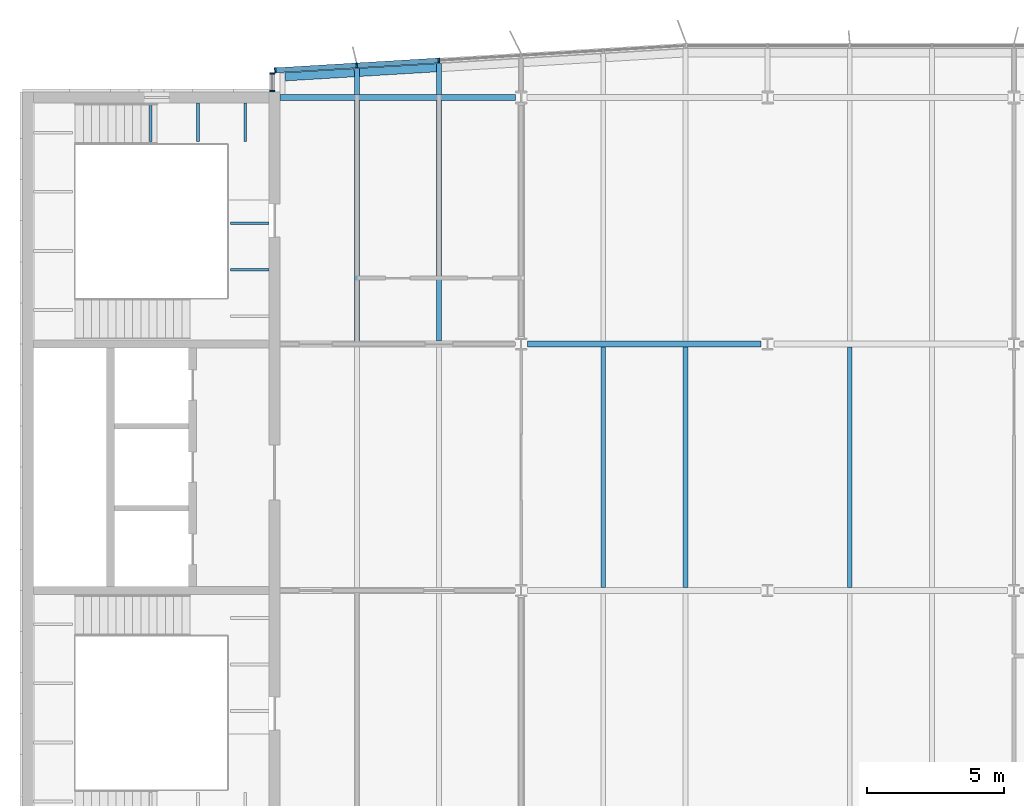
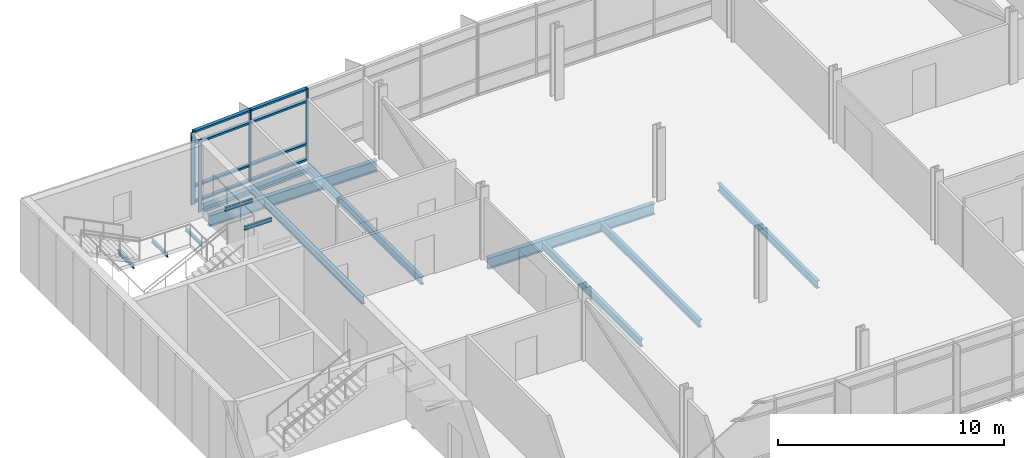
# One storey, part 4 of 21: 16 beams, 13 members, 2 elements without a shape of their own.
"""IFC4 building model written with IfcOpenShell, lengths in metres."""

from ifc_helpers import new_model, si_unit, direction, frame, origin, origin_2d, place, context, subcontext, project, spatial, rectangle, i_section, extrude, material, material_profile, profile_set, type_object, element, aggregate, save


model = new_model("IFC4")

# Units and contexts
model_context = context("Model", 3, precision=1e-05, world=origin(), true_north=direction((0.0, 1.0)))
body_context = subcontext(model_context, "Body", "Model", "MODEL_VIEW")
ifc_project = project(units=[si_unit("LENGTHUNIT", "METRE"), si_unit("AREAUNIT", "SQUARE_METRE"), si_unit("VOLUMEUNIT", "CUBIC_METRE"), si_unit("PLANEANGLEUNIT", "RADIAN"), si_unit("MASSUNIT", "GRAM", prefix="KILO")], contexts=[model_context])

# Site, building, storey
site_placement = place(None, origin())
site = spatial("IfcSite", under=ifc_project, at=site_placement, CompositionType="ELEMENT")
building_placement = place(site_placement, origin())
building = spatial("IfcBuilding", under=site, at=building_placement, Name="Azimuth Sports and Learning Centre", CompositionType="ELEMENT")
storey_placement = place(building_placement, frame((0.0, 0.0, 32.39990234375)))
storey = spatial("IfcBuildingStorey", under=building, at=storey_placement, Name="L06", CompositionType="ELEMENT", Elevation=32.39990234375)

# Beams
ifc_material_1 = material(Name="Steel S355", Category="steel")
ifc_material_profile_1 = material_profile(ifc_material_1, i_section(OverallWidth=0.10009765625, OverallDepth=0.199951171875, WebThickness=0.005615234375, FlangeThickness=0.008544921875, FilletRadius=0.011962890625, at=origin_2d()), Name="IPE 200")
ifc_profile_set_1 = profile_set([ifc_material_profile_1], Name="Steel S355")
beam_type_1 = type_object("IfcBeamType", Name="Beam IPE 200", PredefinedType="BEAM", material=ifc_profile_set_1)
for number, where, z_axis, x_axis, name in (
    (1, (58.473388671875, 116.800048828125, -0.2998046875), (0.0, -1.0, 0.0), (1.0, 0.0, 0.0), "Landing bracket W2 L06 237"),
    (2, (60.199951171875, 116.800048828125, -0.2998046875), (0.0, -1.0, 0.0), (1.0, 0.0, 0.0), "Landing bracket W2 L06 238"),
    (3, (61.9267578125, 116.800048828125, -0.2998046875), (0.0, -1.0, 0.0), (1.0, 0.0, 0.0), "Landing bracket W2 L06 239"),
    (4, (62.800048828125, 110.705078125, 3.60009765625), (-1.0, 0.0, 0.0), (0.0, -1.0, 0.0), "Landing bracket W2 L06 245"),
    (5, (62.800048828125, 112.401611328125, 3.60009765625), (-1.0, 0.0, 0.0), (0.0, -1.0, 0.0), "Landing bracket W2 L06 246"),
):
    element("IfcBeam", number, at=place(storey_placement, frame(where, z_axis=z_axis, x_axis=x_axis)), inside=storey, type_object=beam_type_1, Name=name, PredefinedType="BEAM", context=body_context, shape_type="SweptSolid", body=[
        extrude(i_section(OverallWidth=0.10009765625, OverallDepth=0.199951171875, WebThickness=0.005615234375, FlangeThickness=0.008544921875, FilletRadius=0.011962890625, at=origin_2d()), origin(), (0.0, 0.0, 1.0), 1.41015625),
    ])
ifc_material_2 = material(Name="Steel S355", Category="steel")
ifc_material_profile_2 = material_profile(ifc_material_2, i_section(OverallWidth=0.219970703125, OverallDepth=0.60009765625, WebThickness=0.011962890625, FlangeThickness=0.01904296875, FilletRadius=0.02392578125, at=origin_2d()), Name="IPE 600")
ifc_profile_set_2 = profile_set([ifc_material_profile_2], Name="Steel S355")
beam_type_2 = type_object("IfcBeamType", Name="Beam IPE 600", PredefinedType="BEAM", material=ifc_profile_set_2)
beam_1_placement = place(storey_placement, frame((72.238037109375, 108.0, -0.429931640625), z_axis=(1.0, 0.0, 0.0), x_axis=(0.0, 1.0, 0.0)))
element("IfcBeam", 6, at=beam_1_placement, inside=storey, type_object=beam_type_2, Name="Tower girder L06", PredefinedType="BEAM", context=body_context, shape_type="SweptSolid", body=[
    extrude(i_section(OverallWidth=0.219970703125, OverallDepth=0.60009765625, WebThickness=0.011962890625, FlangeThickness=0.01904296875, FilletRadius=0.02392578125, at=origin_2d()), origin(), (0.0, 0.0, 1.0), 8.52392578125),
])
beam_2_placement = place(storey_placement, frame((63.199951171875, 117.0, -0.429931640625), z_axis=(1.0, 0.0, 0.0), x_axis=(0.0, 1.0, 0.0)))
element("IfcBeam", 7, at=beam_2_placement, inside=storey, type_object=beam_type_2, Name="Tower girder L06", PredefinedType="BEAM", context=body_context, shape_type="SweptSolid", body=[
    extrude(i_section(OverallWidth=0.219970703125, OverallDepth=0.60009765625, WebThickness=0.011962890625, FlangeThickness=0.01904296875, FilletRadius=0.02392578125, at=origin_2d()), origin(), (0.0, 0.0, 1.0), 8.588134765625),
])
ifc_material_3 = material(Name="Steel S355", Category="steel")
ifc_material_profile_3 = material_profile(ifc_material_3, i_section(OverallWidth=0.179931640625, OverallDepth=0.39990234375, WebThickness=0.008544921875, FlangeThickness=0.013427734375, FilletRadius=0.02099609375, at=origin_2d()), Name="IPE 400")
ifc_profile_set_3 = profile_set([ifc_material_profile_3], Name="Steel S355")
beam_type_3 = type_object("IfcBeamType", Name="Cantilever stub IPE 400", PredefinedType="JOIST", material=ifc_profile_set_3)
beam_3_placement = place(storey_placement, frame((66.0, 117.110107421875, -0.329833984375), z_axis=(0.0, 1.0, 0.0), x_axis=(-1.0, 0.0, 0.0)))
element("IfcBeam", 8, at=beam_3_placement, inside=storey, type_object=beam_type_3, Name="Tower cantilever stub", PredefinedType="JOIST", context=body_context, shape_type="SweptSolid", body=[
    extrude(i_section(OverallWidth=0.179931640625, OverallDepth=0.39990234375, WebThickness=0.008544921875, FlangeThickness=0.013427734375, FilletRadius=0.02099609375, at=origin_2d()), origin(), (0.0, 0.0, 1.0), 0.949951171875),
])
beam_4_placement = place(storey_placement, frame((69.0, 117.110107421875, -0.329833984375), z_axis=(0.0, 1.0, 0.0), x_axis=(-1.0, 0.0, 0.0)))
element("IfcBeam", 9, at=beam_4_placement, inside=storey, type_object=beam_type_3, Name="Tower cantilever stub", PredefinedType="JOIST", context=body_context, shape_type="SweptSolid", body=[
    extrude(i_section(OverallWidth=0.179931640625, OverallDepth=0.39990234375, WebThickness=0.008544921875, FlangeThickness=0.013427734375, FilletRadius=0.02099609375, at=origin_2d()), origin(), (0.0, 0.0, 1.0), 1.1298828125),
])
ifc_material_4 = material(Name="Steel S355", Category="steel")
ifc_material_profile_4 = material_profile(ifc_material_4, i_section(OverallWidth=0.300048828125, OverallDepth=0.2900390625, WebThickness=0.008544921875, FlangeThickness=0.013916015625, FilletRadius=0.027099609375, at=origin_2d()), Name="HEA 300")
ifc_profile_set_4 = profile_set([ifc_material_profile_4], Name="Steel S355")
beam_type_4 = type_object("IfcBeamType", Name="Edge beam HEA 300", PredefinedType="SPANDREL", material=ifc_profile_set_4)
beam_5_placement = place(storey_placement, frame((63.3798828125, 117.752685546875, -0.27490234375), z_axis=(0.998203578329, 0.059913405937, 0.0), x_axis=(-0.059913405937, 0.998203578329, 0.0)))
element("IfcBeam", 10, at=beam_5_placement, inside=storey, type_object=beam_type_4, Name="Tower edge beam", PredefinedType="SPANDREL", context=body_context, shape_type="SweptSolid", body=[
    extrude(i_section(OverallWidth=0.300048828125, OverallDepth=0.2900390625, WebThickness=0.008544921875, FlangeThickness=0.013916015625, FilletRadius=0.027099609375, at=origin_2d()), origin(), (0.0, 0.0, 1.0), 2.53466796875),
])
beam_6_placement = place(storey_placement, frame((66.090087890625, 117.915283203125, -0.27490234375), z_axis=(0.998199674899, 0.059978404708, 0.0), x_axis=(-0.059978404708, 0.998199674899, 0.0)))
element("IfcBeam", 11, at=beam_6_placement, inside=storey, type_object=beam_type_4, Name="Tower edge beam", PredefinedType="SPANDREL", context=body_context, shape_type="SweptSolid", body=[
    extrude(i_section(OverallWidth=0.300048828125, OverallDepth=0.2900390625, WebThickness=0.008544921875, FlangeThickness=0.013916015625, FilletRadius=0.027099609375, at=origin_2d()), origin(), (0.0, 0.0, 1.0), 2.824951171875),
])
ifc_material_5 = material(Name="Steel S355", Category="steel")
ifc_material_profile_5 = material_profile(ifc_material_5, i_section(OverallWidth=0.179931640625, OverallDepth=0.39990234375, WebThickness=0.008544921875, FlangeThickness=0.013427734375, FilletRadius=0.02099609375, at=origin_2d()), Name="IPE 400")
ifc_profile_set_5 = profile_set([ifc_material_profile_5], Name="Steel S355")
beam_type_5 = type_object("IfcBeamType", Name="Joist IPE 400", PredefinedType="JOIST", material=ifc_profile_set_5)
for number, where, z_axis, x_axis, name in (
    (12, (66.0, 108.110107421875, -0.329833984375), (0.0, 1.0, 0.0), (-1.0, 0.0, 0.0), "Tower joist"),
    (13, (69.0, 108.110107421875, -0.329833984375), (0.0, 1.0, 0.0), (-1.0, 0.0, 0.0), "Tower joist"),
    (14, (75.0, 99.110107421875, -0.329833984375), (0.0, 1.0, 0.0), (-1.0, 0.0, 0.0), "Tower joist"),
    (15, (78.0, 99.110107421875, -0.329833984375), (0.0, 1.0, 0.0), (-1.0, 0.0, 0.0), "Tower joist"),
    (16, (84.0, 99.110107421875, -0.329833984375), (0.0, 1.0, 0.0), (-1.0, 0.0, 0.0), "Tower joist"),
):
    element("IfcBeam", number, at=place(storey_placement, frame(where, z_axis=z_axis, x_axis=x_axis)), inside=storey, type_object=beam_type_5, Name=name, PredefinedType="JOIST", context=body_context, shape_type="SweptSolid", body=[
        extrude(i_section(OverallWidth=0.179931640625, OverallDepth=0.39990234375, WebThickness=0.008544921875, FlangeThickness=0.013427734375, FilletRadius=0.02099609375, at=origin_2d()), origin(), (0.0, 0.0, 1.0), 8.77978515625),
    ])

# Curtain wall, members
ifc_material_6 = material(Name="Aluminium and glass", Category="aluminium")
curtain_wall_type_1 = type_object("IfcCurtainWallType", Name="Curtain wall tower north 180", PredefinedType="NOTDEFINED", material=ifc_material_6)
curtain_wall_1_placement = place(storey_placement, origin())
curtain_wall_1 = element("IfcCurtainWall", 17, at=curtain_wall_1_placement, inside=storey, type_object=curtain_wall_type_1, Name="Curtain wall CW06-009", PredefinedType="NOTDEFINED")
ifc_material_7 = material(Name="Aluminium", Category="aluminium")
ifc_material_profile_6 = material_profile(ifc_material_7, rectangle(XDim=0.179931640625, YDim=0.06005859375, at=origin_2d()), Name="Mullion 60x180")
ifc_profile_set_6 = profile_set([ifc_material_profile_6], Name="Aluminium")
member_type_1 = type_object("IfcMemberType", Name="Mullion 60x180", PredefinedType="MULLION", material=ifc_profile_set_6)
member_1_placement = place(storey_placement, frame((68.99462890625, 118.349853515625, 0.0), z_axis=(0.0, 0.0, 1.0), x_axis=(0.059891991812, -0.998204863401, 0.0)))
member_1 = element("IfcMember", 18, at=member_1_placement, type_object=member_type_1, Name="CW06-009 mullion 4", PredefinedType="MULLION", context=body_context, shape_type="SweptSolid", body=[
    extrude(rectangle(XDim=0.179931640625, YDim=0.06005859375, at=origin_2d()), origin(), (0.0, 0.0, 1.0), 3.900146484375),
])
member_2_placement = place(storey_placement, frame((65.99462890625, 118.169921875, 0.0), z_axis=(0.0, 0.0, 1.0), x_axis=(0.059891991812, -0.998204863401, 0.0)))
member_2 = element("IfcMember", 19, at=member_2_placement, type_object=member_type_1, Name="CW06-009 mullion 5", PredefinedType="MULLION", context=body_context, shape_type="SweptSolid", body=[
    extrude(rectangle(XDim=0.179931640625, YDim=0.06005859375, at=origin_2d()), origin(), (0.0, 0.0, 1.0), 3.900146484375),
])
member_3_placement = place(storey_placement, frame((63.024658203125, 117.99169921875, 0.0), z_axis=(0.0, 0.0, 1.0), x_axis=(0.059891991812, -0.998204863401, 0.0)))
member_3 = element("IfcMember", 20, at=member_3_placement, type_object=member_type_1, Name="CW06-009 mullion 6", PredefinedType="MULLION", context=body_context, shape_type="SweptSolid", body=[
    extrude(rectangle(XDim=0.179931640625, YDim=0.06005859375, at=origin_2d()), origin(), (0.0, 0.0, 1.0), 3.900146484375),
])

ifc_material_8 = material(Name="Aluminium and glass", Category="aluminium")
curtain_wall_type_2 = type_object("IfcCurtainWallType", Name="Curtain wall tower return 180", PredefinedType="NOTDEFINED", material=ifc_material_8)
curtain_wall_2_placement = place(storey_placement, origin())
curtain_wall_2 = element("IfcCurtainWall", 21, at=curtain_wall_2_placement, inside=storey, type_object=curtain_wall_type_2, Name="Curtain wall CW06-010", PredefinedType="NOTDEFINED")
member_4_placement = place(storey_placement, frame((62.909912109375, 117.8701171875, 0.0), z_axis=(0.0, 0.0, 1.0), x_axis=(1.0, 0.0, 0.0)))
member_4 = element("IfcMember", 22, at=member_4_placement, type_object=member_type_1, Name="CW06-010 mullion 1", PredefinedType="MULLION", context=body_context, shape_type="SweptSolid", body=[
    extrude(rectangle(XDim=0.179931640625, YDim=0.06005859375, at=origin_2d()), origin(), (0.0, 0.0, 1.0), 3.900146484375),
])
member_5_placement = place(storey_placement, frame((62.909912109375, 117.22998046875, 0.0), z_axis=(0.0, 0.0, 1.0), x_axis=(1.0, 0.0, 0.0)))
member_5 = element("IfcMember", 23, at=member_5_placement, type_object=member_type_1, Name="CW06-010 mullion 2", PredefinedType="MULLION", context=body_context, shape_type="SweptSolid", body=[
    extrude(rectangle(XDim=0.179931640625, YDim=0.06005859375, at=origin_2d()), origin(), (0.0, 0.0, 1.0), 3.900146484375),
])
aggregate(curtain_wall_2, [member_4, member_5])

# Member
ifc_material_9 = material(Name="Aluminium", Category="aluminium")
ifc_material_profile_7 = material_profile(ifc_material_9, rectangle(XDim=0.179931640625, YDim=0.10009765625, at=origin_2d()), Name="Transom 100x180")
ifc_profile_set_7 = profile_set([ifc_material_profile_7], Name="Aluminium")
member_type_2 = type_object("IfcMemberType", Name="Transom 100x180", PredefinedType="USERDEFINED", material=ifc_profile_set_7)
member_6_placement = place(storey_placement, frame((68.964599609375, 118.34814453125, 0.050048828125), z_axis=(-0.998202465912, -0.059931936792, 0.0), x_axis=(0.059931936792, -0.998202465912, 0.0)))
member_6 = element("IfcMember", 24, at=member_6_placement, type_object=member_type_2, Name="CW06-009 transom 4.1", ObjectType="TRANSOM", PredefinedType="USERDEFINED", context=body_context, shape_type="SweptSolid", body=[
    extrude(rectangle(XDim=0.179931640625, YDim=0.10009765625, at=origin_2d()), origin(), (0.0, 0.0, 1.0), 2.9453125),
])

member_7_placement = place(storey_placement, frame((68.964599609375, 118.34814453125, 0.900146484375), z_axis=(-0.998202465912, -0.059931936792, 0.0), x_axis=(0.059931936792, -0.998202465912, 0.0)))
member_7 = element("IfcMember", 25, at=member_7_placement, type_object=member_type_2, Name="CW06-009 transom 4.2", ObjectType="TRANSOM", PredefinedType="USERDEFINED", context=body_context, shape_type="SweptSolid", body=[
    extrude(rectangle(XDim=0.179931640625, YDim=0.10009765625, at=origin_2d()), origin(), (0.0, 0.0, 1.0), 2.9453125),
])

member_8_placement = place(storey_placement, frame((68.964599609375, 118.34814453125, 3.2001953125), z_axis=(-0.998202465912, -0.059931936792, 0.0), x_axis=(0.059931936792, -0.998202465912, 0.0)))
member_8 = element("IfcMember", 26, at=member_8_placement, type_object=member_type_2, Name="CW06-009 transom 4.3", ObjectType="TRANSOM", PredefinedType="USERDEFINED", context=body_context, shape_type="SweptSolid", body=[
    extrude(rectangle(XDim=0.179931640625, YDim=0.10009765625, at=origin_2d()), origin(), (0.0, 0.0, 1.0), 2.9453125),
])

member_9_placement = place(storey_placement, frame((68.964599609375, 118.34814453125, 3.85009765625), z_axis=(-0.998202465912, -0.059931936792, 0.0), x_axis=(0.059931936792, -0.998202465912, 0.0)))
member_9 = element("IfcMember", 27, at=member_9_placement, type_object=member_type_2, Name="CW06-009 transom 4.4", ObjectType="TRANSOM", PredefinedType="USERDEFINED", context=body_context, shape_type="SweptSolid", body=[
    extrude(rectangle(XDim=0.179931640625, YDim=0.10009765625, at=origin_2d()), origin(), (0.0, 0.0, 1.0), 2.9453125),
])

member_10_placement = place(storey_placement, frame((65.964599609375, 118.16796875, 0.050048828125), z_axis=(-0.998205846627, -0.059875602377, 0.0), x_axis=(0.059875602377, -0.998205846627, 0.0)))
member_10 = element("IfcMember", 28, at=member_10_placement, type_object=member_type_2, Name="CW06-009 transom 5.1", ObjectType="TRANSOM", PredefinedType="USERDEFINED", context=body_context, shape_type="SweptSolid", body=[
    extrude(rectangle(XDim=0.179931640625, YDim=0.10009765625, at=origin_2d()), origin(), (0.0, 0.0, 1.0), 2.915283203125),
])

member_11_placement = place(storey_placement, frame((65.964599609375, 118.16796875, 0.900146484375), z_axis=(-0.998205846627, -0.059875602377, 0.0), x_axis=(0.059875602377, -0.998205846627, 0.0)))
member_11 = element("IfcMember", 29, at=member_11_placement, type_object=member_type_2, Name="CW06-009 transom 5.2", ObjectType="TRANSOM", PredefinedType="USERDEFINED", context=body_context, shape_type="SweptSolid", body=[
    extrude(rectangle(XDim=0.179931640625, YDim=0.10009765625, at=origin_2d()), origin(), (0.0, 0.0, 1.0), 2.915283203125),
])

member_12_placement = place(storey_placement, frame((65.964599609375, 118.16796875, 3.2001953125), z_axis=(-0.998205846627, -0.059875602377, 0.0), x_axis=(0.059875602377, -0.998205846627, 0.0)))
member_12 = element("IfcMember", 30, at=member_12_placement, type_object=member_type_2, Name="CW06-009 transom 5.3", ObjectType="TRANSOM", PredefinedType="USERDEFINED", context=body_context, shape_type="SweptSolid", body=[
    extrude(rectangle(XDim=0.179931640625, YDim=0.10009765625, at=origin_2d()), origin(), (0.0, 0.0, 1.0), 2.915283203125),
])

member_13_placement = place(storey_placement, frame((65.964599609375, 118.16796875, 3.85009765625), z_axis=(-0.998205846627, -0.059875602377, 0.0), x_axis=(0.059875602377, -0.998205846627, 0.0)))
member_13 = element("IfcMember", 31, at=member_13_placement, type_object=member_type_2, Name="CW06-009 transom 5.4", ObjectType="TRANSOM", PredefinedType="USERDEFINED", context=body_context, shape_type="SweptSolid", body=[
    extrude(rectangle(XDim=0.179931640625, YDim=0.10009765625, at=origin_2d()), origin(), (0.0, 0.0, 1.0), 2.915283203125),
])

aggregate(curtain_wall_1, [member_1, member_2, member_3, member_6, member_7, member_8, member_9, member_10, member_11, member_12, member_13])

save(model, "model.ifc")
